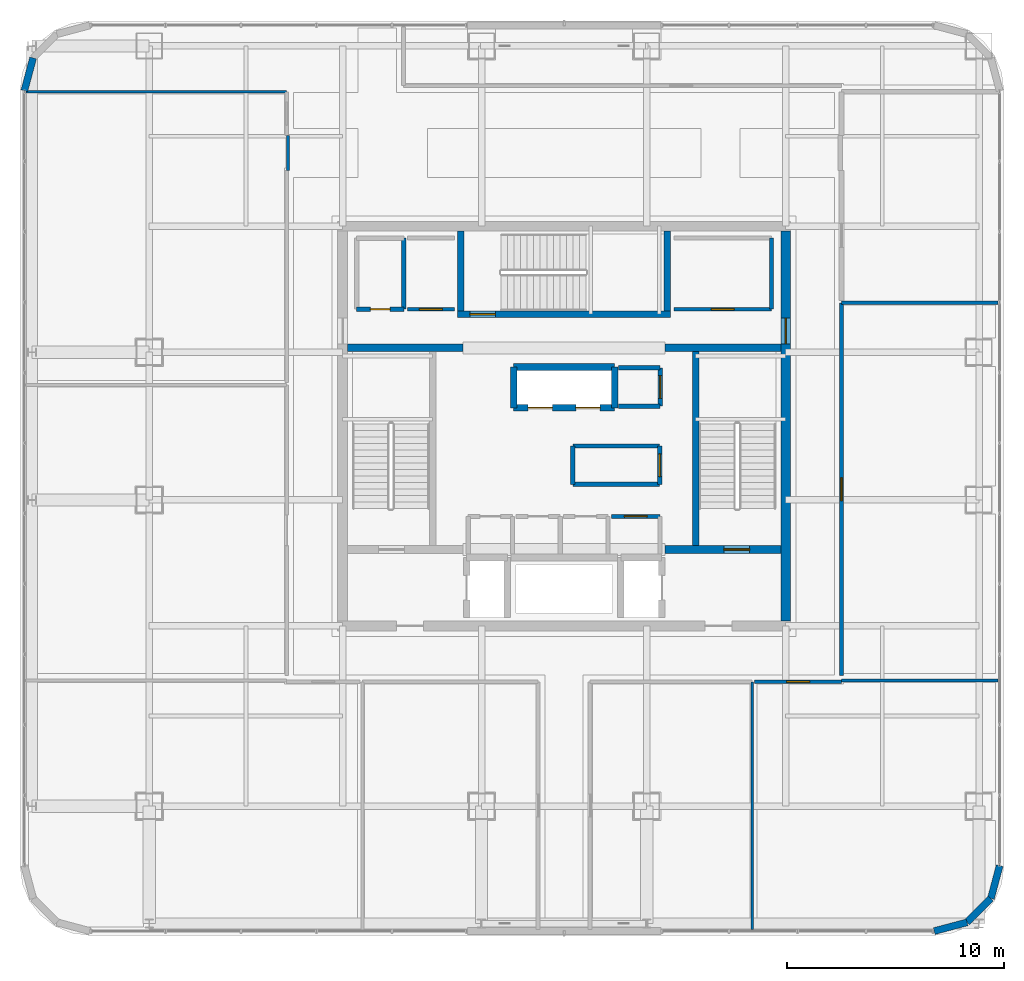
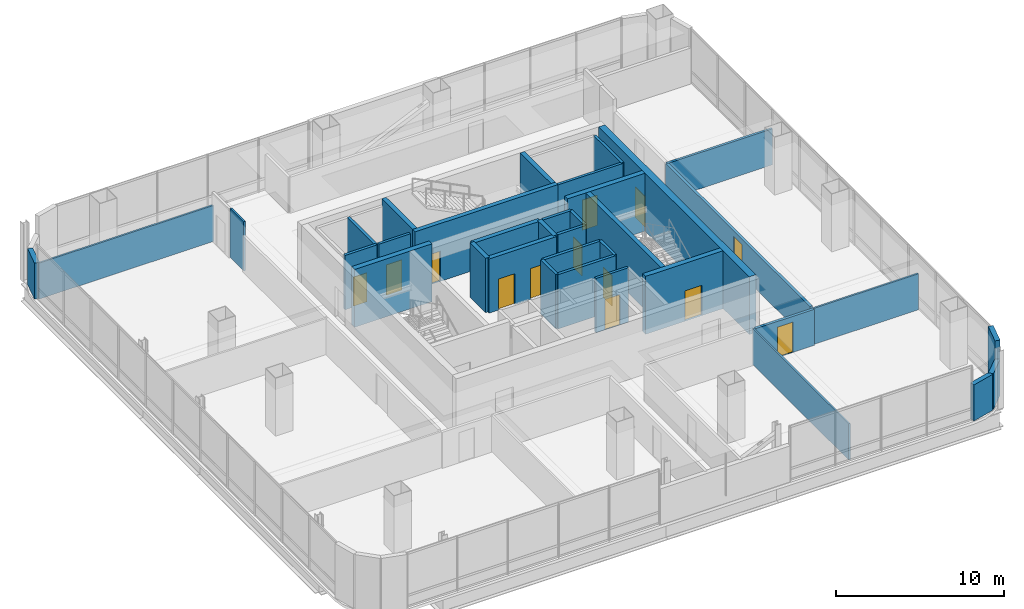
# One storey, part 36 of 46: 36 walls, 13 doors, 13 openings.
"""IFC4 building model written with IfcOpenShell, lengths in metres."""

from ifc_helpers import new_model, si_unit, direction, frame, frame_2d, origin, place, context, subcontext, project, spatial, rectangle, extrude, material, layer, layer_set, type_object, element, fill, save


model = new_model("IFC4")

# Units and contexts
model_context = context("Model", 3, precision=1e-05, world=origin(), true_north=direction((0.0, 1.0)))
body_context = subcontext(model_context, "Body", "Model", "MODEL_VIEW")
ifc_project = project(units=[si_unit("LENGTHUNIT", "METRE"), si_unit("AREAUNIT", "SQUARE_METRE"), si_unit("VOLUMEUNIT", "CUBIC_METRE"), si_unit("PLANEANGLEUNIT", "RADIAN"), si_unit("MASSUNIT", "GRAM", prefix="KILO")], contexts=[model_context])

# Site, building, storey
site_placement = place(None, origin())
site = spatial("IfcSite", under=ifc_project, at=site_placement, CompositionType="ELEMENT")
building_placement = place(site_placement, origin())
building = spatial("IfcBuilding", under=site, at=building_placement, Name="Punatoya Terracotta Tower", CompositionType="ELEMENT")
storey_placement = place(building_placement, frame((0.0, 0.0, 330.0)))
storey = spatial("IfcBuildingStorey", under=building, at=storey_placement, Name="L78", CompositionType="ELEMENT", Elevation=330.0)

# Wall, opening, door
ifc_material_1 = material(Name="Concrete C50/60", Category="concrete")
ifc_layer_1 = layer(ifc_material_1, 0.449951171875)
ifc_layer_set_1 = layer_set([ifc_layer_1], Name="Concrete C50/60")
wall_type_1 = type_object("IfcWallType", Name="WL-COR-450", PredefinedType="SHEAR", material=ifc_layer_set_1)
wall_1_placement = place(storey_placement, frame((10.199951171875, 8.97509765625, 0.0), z_axis=(0.0, 0.0, 1.0), x_axis=(0.0, -1.0, 0.0)))
wall_1 = element("IfcWall", 1, at=wall_1_placement, inside=storey, type_object=wall_type_1, Name="L78 Core Shear Wall E", PredefinedType="SHEAR", context=body_context, shape_type="SweptSolid", body=[
    extrude(rectangle(XDim=17.9501953125, YDim=0.449951171875, at=frame_2d((8.97509765625, 0.0))), origin(), (0.0, 0.0, 1.0), 4.199951171875),
])
opening_1_placement = place(wall_1_placement, frame((4.0048828125, 0.0, 0.0)))
opening_1 = element("IfcOpeningElement", 2, at=opening_1_placement, cuts=wall_1, Name="Opening SD-01", PredefinedType="OPENING", context=body_context, shape_type="SweptSolid", body=[
    extrude(rectangle(XDim=1.179931640625, YDim=2.199951171875, at=frame_2d((0.58984375, 1.10009765625))), frame((0.0, 0.23486328125, 0.0), z_axis=(0.0, -1.0, 0.0), x_axis=(1.0, 0.0, 0.0)), (0.0, 0.0, 1.0), 0.469970703125),
])
ifc_material_2 = material(Name="Galvanised Steel Pressurized Stair Fire Door", Category="steel")
door_type_1 = type_object("IfcDoorType", Name="DR-STR-1180", OperationType="NOTDEFINED", PredefinedType="DOOR", material=ifc_material_2)
door_1_placement = place(opening_1_placement, origin())
door_1 = element("IfcDoor", 3, at=door_1_placement, inside=storey, type_object=door_type_1, Name="L78 Central Lift Lobby East Fire Door", OperationType="SINGLE_SWING_RIGHT", OverallHeight=2.199951171875, OverallWidth=1.179931640625, PredefinedType="DOOR", context=body_context, shape_type="SweptSolid", body=[
    extrude(rectangle(XDim=1.179931640625, YDim=2.199951171875, at=frame_2d((0.58984375, 1.10009765625))), frame((0.0, 0.02490234375, 0.0), z_axis=(0.0, -1.0, 0.0), x_axis=(1.0, 0.0, 0.0)), (0.0, 0.0, 1.0), 0.050048828125),
])
fill(opening_1, door_1)

ifc_material_3 = material(Name="Gypsum Fireboard + Steel Stud", Category="steel")
ifc_layer_2 = layer(ifc_material_3, 0.179931640625)
ifc_layer_set_2 = layer_set([ifc_layer_2], Name="Gypsum Fireboard + Steel Stud")
wall_type_2 = type_object("IfcWallType", Name="WL-CORR-180", PredefinedType="PARTITIONING", material=ifc_layer_set_2)
wall_2_placement = place(storey_placement, frame((4.419921875, -4.159912109375, 0.0), z_axis=(0.0, 0.0, 1.0), x_axis=(-1.0, 0.0, 0.0)))
wall_2 = element("IfcWall", 4, at=wall_2_placement, inside=storey, type_object=wall_type_2, Name="L78 Core Reprographics Studio Partition 09", PredefinedType="PARTITIONING", context=body_context, shape_type="SweptSolid", body=[
    extrude(rectangle(XDim=2.239990234375, YDim=0.179931640625, at=frame_2d((1.1201171875, 0.0))), origin(), (0.0, 0.0, 1.0), 3.93994140625),
])
opening_2_placement = place(wall_2_placement, frame((0.594970703125, 0.0, 0.0)))
opening_2 = element("IfcOpeningElement", 5, at=opening_2_placement, cuts=wall_2, Name="Opening OD-01", PredefinedType="OPENING", context=body_context, shape_type="SweptSolid", body=[
    extrude(rectangle(XDim=1.050048828125, YDim=2.199951171875, at=frame_2d((0.52490234375, 1.10009765625))), frame((0.0, 0.099853515625, 0.0), z_axis=(0.0, -1.0, 0.0), x_axis=(1.0, 0.0, 0.0)), (0.0, 0.0, 1.0), 0.199951171875),
])
ifc_material_4 = material(Name="Bengal Teak Solid-Core Leaf")
door_type_2 = type_object("IfcDoorType", Name="DR-OFF-1050", OperationType="NOTDEFINED", PredefinedType="DOOR", material=ifc_material_4)
door_2_placement = place(opening_2_placement, origin())
door_2 = element("IfcDoor", 6, at=door_2_placement, inside=storey, type_object=door_type_2, Name="L78 Reprographics Studio Door", OperationType="SINGLE_SWING_LEFT", OverallHeight=2.199951171875, OverallWidth=1.050048828125, PredefinedType="DOOR", context=body_context, shape_type="SweptSolid", body=[
    extrude(rectangle(XDim=1.050048828125, YDim=2.199951171875, at=frame_2d((0.52490234375, 1.10009765625))), frame((0.0, 0.02490234375, 0.0), z_axis=(0.0, -1.0, 0.0), x_axis=(1.0, 0.0, 0.0)), (0.0, 0.0, 1.0), 0.050048828125),
])
fill(opening_2, door_2)

wall_3_placement = place(storey_placement, frame((-7.219970703125, 5.3798828125, 0.0), z_axis=(0.0, 0.0, 1.0), x_axis=(1.0, 0.0, 0.0)))
wall_3 = element("IfcWall", 7, at=wall_3_placement, inside=storey, type_object=wall_type_2, Name="L78 West Core Print Room Partition 22", PredefinedType="PARTITIONING", context=body_context, shape_type="SweptSolid", body=[
    extrude(rectangle(XDim=2.169921875, YDim=0.179931640625, at=frame_2d((1.0849609375, 0.0))), origin(), (0.0, 0.0, 1.0), 3.93994140625),
])
opening_3_placement = place(wall_3_placement, frame((0.56005859375, 0.0, 0.0)))
opening_3 = element("IfcOpeningElement", 8, at=opening_3_placement, cuts=wall_3, Name="Opening OD-01", PredefinedType="OPENING", context=body_context, shape_type="SweptSolid", body=[
    extrude(rectangle(XDim=1.050048828125, YDim=2.199951171875, at=frame_2d((0.52490234375, 1.10009765625))), frame((0.0, 0.099853515625, 0.0), z_axis=(0.0, -1.0, 0.0), x_axis=(1.0, 0.0, 0.0)), (0.0, 0.0, 1.0), 0.199951171875),
])
door_3_placement = place(opening_3_placement, origin())
door_3 = element("IfcDoor", 9, at=door_3_placement, inside=storey, type_object=door_type_2, Name="L78 West Print Room Door", OperationType="SINGLE_SWING_LEFT", OverallHeight=2.199951171875, OverallWidth=1.050048828125, PredefinedType="DOOR", context=body_context, shape_type="SweptSolid", body=[
    extrude(rectangle(XDim=1.050048828125, YDim=2.199951171875, at=frame_2d((0.52490234375, 1.10009765625))), frame((0.0, 0.02490234375, 0.0), z_axis=(0.0, -1.0, 0.0), x_axis=(1.0, 0.0, 0.0)), (0.0, 0.0, 1.0), 0.050048828125),
])
fill(opening_3, door_3)

# Wall
wall_4_placement = place(storey_placement, frame((9.550048828125, 5.3798828125, 0.0), z_axis=(0.0, 0.0, 1.0), x_axis=(0.0, 1.0, 0.0)))
element("IfcWall", 10, at=wall_4_placement, inside=storey, type_object=wall_type_2, Name="L78 East Core Wellness Room Partition 23", PredefinedType="PARTITIONING", context=body_context, shape_type="SweptSolid", body=[
    extrude(rectangle(XDim=3.27001953125, YDim=0.179931640625, at=frame_2d((1.635009765625, 0.0))), origin(), (0.0, 0.0, 1.0), 3.93994140625),
])

# Wall, opening, door
wall_5_placement = place(storey_placement, frame((5.050048828125, 5.3798828125, 0.0), z_axis=(0.0, 0.0, 1.0), x_axis=(1.0, 0.0, 0.0)))
wall_5 = element("IfcWall", 11, at=wall_5_placement, inside=storey, type_object=wall_type_2, Name="L78 East Core Wellness Room Partition 25", PredefinedType="PARTITIONING", context=body_context, shape_type="SweptSolid", body=[
    extrude(rectangle(XDim=4.5, YDim=0.179931640625, at=frame_2d((2.25, 0.0))), origin(), (0.0, 0.0, 1.0), 3.93994140625),
])
opening_4_placement = place(wall_5_placement, frame((1.72509765625, 0.0, 0.0)))
opening_4 = element("IfcOpeningElement", 12, at=opening_4_placement, cuts=wall_5, Name="Opening OD-01", PredefinedType="OPENING", context=body_context, shape_type="SweptSolid", body=[
    extrude(rectangle(XDim=1.050048828125, YDim=2.199951171875, at=frame_2d((0.52490234375, 1.10009765625))), frame((0.0, 0.099853515625, 0.0), z_axis=(0.0, -1.0, 0.0), x_axis=(1.0, 0.0, 0.0)), (0.0, 0.0, 1.0), 0.199951171875),
])
door_4_placement = place(opening_4_placement, origin())
door_4 = element("IfcDoor", 13, at=door_4_placement, inside=storey, type_object=door_type_2, Name="L78 East Wellness Room Door", OperationType="SINGLE_SWING_RIGHT", OverallHeight=2.199951171875, OverallWidth=1.050048828125, PredefinedType="DOOR", context=body_context, shape_type="SweptSolid", body=[
    extrude(rectangle(XDim=1.050048828125, YDim=2.199951171875, at=frame_2d((0.52490234375, 1.10009765625))), frame((0.0, 0.02490234375, 0.0), z_axis=(0.0, -1.0, 0.0), x_axis=(1.0, 0.0, 0.0)), (0.0, 0.0, 1.0), 0.050048828125),
])
fill(opening_4, door_4)

wall_6_placement = place(storey_placement, frame((8.77197265625, -11.77001953125, 0.0), z_axis=(0.0, 0.0, 1.0), x_axis=(1.0, 0.0, 0.0)))
wall_6 = element("IfcWall", 14, at=wall_6_placement, inside=storey, type_object=wall_type_2, Name="L78 Open-Plan Environmental Research Laboratory Partition 34", PredefinedType="PARTITIONING", context=body_context, shape_type="SweptSolid", body=[
    extrude(rectangle(XDim=3.998046875, YDim=0.179931640625, at=frame_2d((1.9990234375, 0.0))), origin(), (0.0, 0.0, 1.0), 2.614013671875),
])
opening_5_placement = place(wall_6_placement, frame((1.47412109375, 0.0, 0.0)))
opening_5 = element("IfcOpeningElement", 15, at=opening_5_placement, cuts=wall_6, Name="Opening OD-01", PredefinedType="OPENING", context=body_context, shape_type="SweptSolid", body=[
    extrude(rectangle(XDim=1.050048828125, YDim=2.199951171875, at=frame_2d((0.52490234375, 1.10009765625))), frame((0.0, 0.099853515625, 0.0), z_axis=(0.0, -1.0, 0.0), x_axis=(1.0, 0.0, 0.0)), (0.0, 0.0, 1.0), 0.199951171875),
])
door_5_placement = place(opening_5_placement, origin())
door_5 = element("IfcDoor", 16, at=door_5_placement, inside=storey, type_object=door_type_2, Name="L78 Open-Plan Environmental Research Laboratory Door", OperationType="SINGLE_SWING_RIGHT", OverallHeight=2.199951171875, OverallWidth=1.050048828125, PredefinedType="DOOR", context=body_context, shape_type="SweptSolid", body=[
    extrude(rectangle(XDim=1.050048828125, YDim=2.199951171875, at=frame_2d((0.52490234375, 1.10009765625))), frame((0.0, 0.02490234375, 0.0), z_axis=(0.0, -1.0, 0.0), x_axis=(1.0, 0.0, 0.0)), (0.0, 0.0, 1.0), 0.050048828125),
])
fill(opening_5, door_5)

wall_7_placement = place(storey_placement, frame((12.77001953125, -11.489990234375, 0.0), z_axis=(0.0, 0.0, 1.0), x_axis=(0.0, 1.0, 0.0)))
wall_7 = element("IfcWall", 17, at=wall_7_placement, inside=storey, type_object=wall_type_2, Name="L78 Open-Plan Laboratory Staff Pantry Partition 38", PredefinedType="PARTITIONING", context=body_context, shape_type="SweptSolid", body=[
    extrude(rectangle(XDim=17.159912109375, YDim=0.179931640625, at=frame_2d((8.580078125, 0.0))), origin(), (0.0, 0.0, 1.0), 2.614013671875),
])
opening_6_placement = place(wall_7_placement, frame((8.054931640625, 0.0, 0.0)))
opening_6 = element("IfcOpeningElement", 18, at=opening_6_placement, cuts=wall_7, Name="Opening OD-01", PredefinedType="OPENING", context=body_context, shape_type="SweptSolid", body=[
    extrude(rectangle(XDim=1.050048828125, YDim=2.199951171875, at=frame_2d((0.52490234375, 1.10009765625))), frame((0.0, 0.099853515625, 0.0), z_axis=(0.0, -1.0, 0.0), x_axis=(1.0, 0.0, 0.0)), (0.0, 0.0, 1.0), 0.199951171875),
])
door_6_placement = place(opening_6_placement, origin())
door_6 = element("IfcDoor", 19, at=door_6_placement, inside=storey, type_object=door_type_2, Name="L78 Open-Plan Laboratory Staff Pantry Door", OperationType="SINGLE_SWING_RIGHT", OverallHeight=2.199951171875, OverallWidth=1.050048828125, PredefinedType="DOOR", context=body_context, shape_type="SweptSolid", body=[
    extrude(rectangle(XDim=1.050048828125, YDim=2.199951171875, at=frame_2d((0.52490234375, 1.10009765625))), frame((0.0, 0.02490234375, 0.0), z_axis=(0.0, -1.0, 0.0), x_axis=(1.0, 0.0, 0.0)), (0.0, 0.0, 1.0), 0.050048828125),
])
fill(opening_6, door_6)

# Walls
ifc_material_5 = material(Name="Precast concrete C40/50", Category="concrete")
ifc_layer_3 = layer(ifc_material_5, 0.320068359375)
ifc_layer_set_3 = layer_set([ifc_layer_3], Name="Precast concrete C40/50")
wall_type_3 = type_object("IfcWallType", Name="WL-EXT-320", PredefinedType="SOLIDWALL", material=ifc_layer_set_3)
wall_8_placement = place(storey_placement, frame((17.036865234375, -23.25, 0.0), z_axis=(0.0, 0.0, 1.0), x_axis=(0.966224582397, 0.257701486942, 0.0)))
element("IfcWall", 20, at=wall_8_placement, inside=storey, type_object=wall_type_3, Name="L78 Rounded Terracotta Corner Pier 02", PredefinedType="SOLIDWALL", context=body_context, shape_type="SweptSolid", body=[
    extrude(rectangle(XDim=1.565185546875, YDim=0.320068359375, at=frame_2d((0.78271484375, 0.0))), origin(), (0.0, 0.0, 1.0), 2.614013671875),
])
wall_9_placement = place(storey_placement, frame((18.549072265625, -22.8466796875, 0.0), z_axis=(0.0, 0.0, 1.0), x_axis=(0.707028130747, 0.707185422879, 0.0)))
element("IfcWall", 21, at=wall_9_placement, inside=storey, type_object=wall_type_3, Name="L78 Rounded Terracotta Corner Pier 03", PredefinedType="SOLIDWALL", context=body_context, shape_type="SweptSolid", body=[
    extrude(rectangle(XDim=1.55224609375, YDim=0.320068359375, at=frame_2d((0.776123046875, 0.0))), origin(), (0.0, 0.0, 1.0), 2.614013671875),
])
wall_10_placement = place(storey_placement, frame((19.646484375, -21.7490234375, 0.0), z_axis=(0.0, 0.0, 1.0), x_axis=(0.257847112249, 0.966185730957, 0.0)))
element("IfcWall", 22, at=wall_10_placement, inside=storey, type_object=wall_type_3, Name="L78 Rounded Terracotta Corner Pier 04", PredefinedType="SOLIDWALL", context=body_context, shape_type="SweptSolid", body=[
    extrude(rectangle(XDim=1.565185546875, YDim=0.320068359375, at=frame_2d((0.78271484375, 0.0))), origin(), (0.0, 0.0, 1.0), 3.93994140625),
])
wall_11_placement = place(storey_placement, frame((-24.446533203125, 16.94921875, 0.0), z_axis=(0.0, 0.0, 1.0), x_axis=(-0.257847112249, -0.966185730957, 0.0)))
element("IfcWall", 23, at=wall_11_placement, inside=storey, type_object=wall_type_3, Name="L78 Rounded Terracotta Corner Pier 12", PredefinedType="SOLIDWALL", context=body_context, shape_type="SweptSolid", body=[
    extrude(rectangle(XDim=1.565185546875, YDim=0.320068359375, at=frame_2d((0.78271484375, 0.0))), origin(), (0.0, 0.0, 1.0), 2.614013671875),
])

# Wall, opening, door
ifc_material_6 = material(Name="Concrete C40/50", Category="concrete")
ifc_layer_4 = layer(ifc_material_6, 0.199951171875)
ifc_layer_set_4 = layer_set([ifc_layer_4], Name="Concrete C40/50")
wall_type_4 = type_object("IfcWallType", Name="WL-INT-200", PredefinedType="SOLIDWALL", material=ifc_layer_set_4)
wall_12_placement = place(storey_placement, frame((4.39990234375, -2.679931640625, 0.0), z_axis=(0.0, 0.0, 1.0), x_axis=(0.0, 1.0, 0.0)))
wall_12 = element("IfcWall", 24, at=wall_12_placement, inside=storey, type_object=wall_type_4, Name="L78 East Core Tea Pantry Partition 10", PredefinedType="SOLIDWALL", context=body_context, shape_type="SweptSolid", body=[
    extrude(rectangle(XDim=1.760009765625, YDim=0.199951171875, at=frame_2d((0.8798828125, 0.0))), origin(), (0.0, 0.0, 1.0), 3.93994140625),
])
opening_7_placement = place(wall_12_placement, frame((0.35498046875, 0.0, 0.0)))
opening_7 = element("IfcOpeningElement", 25, at=opening_7_placement, cuts=wall_12, Name="Opening OD-01", PredefinedType="OPENING", context=body_context, shape_type="SweptSolid", body=[
    extrude(rectangle(XDim=1.050048828125, YDim=2.199951171875, at=frame_2d((0.52490234375, 1.10009765625))), frame((0.0, 0.10986328125, 0.0), z_axis=(0.0, -1.0, 0.0), x_axis=(1.0, 0.0, 0.0)), (0.0, 0.0, 1.0), 0.219970703125),
])
door_7_placement = place(opening_7_placement, origin())
door_7 = element("IfcDoor", 26, at=door_7_placement, inside=storey, type_object=door_type_2, Name="L78 East Tea Pantry Door", OperationType="SINGLE_SWING_RIGHT", OverallHeight=2.199951171875, OverallWidth=1.050048828125, PredefinedType="DOOR", context=body_context, shape_type="SweptSolid", body=[
    extrude(rectangle(XDim=1.050048828125, YDim=2.199951171875, at=frame_2d((0.52490234375, 1.10009765625))), frame((0.0, 0.02490234375, 0.0), z_axis=(0.0, -1.0, 0.0), x_axis=(1.0, 0.0, 0.0)), (0.0, 0.0, 1.0), 0.050048828125),
])
fill(opening_7, door_7)

# Walls
wall_13_placement = place(storey_placement, frame((4.39990234375, -0.919921875, 0.0), z_axis=(0.0, 0.0, 1.0), x_axis=(-1.0, 0.0, 0.0)))
element("IfcWall", 27, at=wall_13_placement, inside=storey, type_object=wall_type_4, Name="L78 East Core Tea Pantry Partition 11", PredefinedType="SOLIDWALL", context=body_context, shape_type="SweptSolid", body=[
    extrude(rectangle(XDim=4.0, YDim=0.199951171875, at=frame_2d((2.0, 0.0))), origin(), (0.0, 0.0, 1.0), 3.93994140625),
])
wall_14_placement = place(storey_placement, frame((0.39990234375, -0.919921875, 0.0), z_axis=(0.0, 0.0, 1.0), x_axis=(0.0, -1.0, 0.0)))
element("IfcWall", 28, at=wall_14_placement, inside=storey, type_object=wall_type_4, Name="L78 East Core Tea Pantry Partition 12", PredefinedType="SOLIDWALL", context=body_context, shape_type="SweptSolid", body=[
    extrude(rectangle(XDim=1.760009765625, YDim=0.199951171875, at=frame_2d((0.8798828125, 0.0))), origin(), (0.0, 0.0, 1.0), 3.93994140625),
])
wall_15_placement = place(storey_placement, frame((0.39990234375, -2.679931640625, 0.0), z_axis=(0.0, 0.0, 1.0), x_axis=(1.0, 0.0, 0.0)))
element("IfcWall", 29, at=wall_15_placement, inside=storey, type_object=wall_type_4, Name="L78 East Core Tea Pantry Partition 13", PredefinedType="SOLIDWALL", context=body_context, shape_type="SweptSolid", body=[
    extrude(rectangle(XDim=4.0, YDim=0.199951171875, at=frame_2d((2.0, 0.0))), origin(), (0.0, 0.0, 1.0), 3.93994140625),
])

# Wall, opening, door
wall_16_placement = place(storey_placement, frame((4.419921875, 0.919921875, 0.0), z_axis=(0.0, 0.0, 1.0), x_axis=(0.0, 1.0, 0.0)))
wall_16 = element("IfcWall", 30, at=wall_16_placement, inside=storey, type_object=wall_type_4, Name="L78 Executive Steward Pantry Partition 14", PredefinedType="SOLIDWALL", context=body_context, shape_type="SweptSolid", body=[
    extrude(rectangle(XDim=1.760009765625, YDim=0.199951171875, at=frame_2d((0.8798828125, 0.0))), origin(), (0.0, 0.0, 1.0), 3.93994140625),
])
opening_8_placement = place(wall_16_placement, frame((0.35498046875, 0.0, 0.0)))
opening_8 = element("IfcOpeningElement", 31, at=opening_8_placement, cuts=wall_16, Name="Opening OD-01", PredefinedType="OPENING", context=body_context, shape_type="SweptSolid", body=[
    extrude(rectangle(XDim=1.050048828125, YDim=2.199951171875, at=frame_2d((0.52490234375, 1.10009765625))), frame((0.0, 0.10986328125, 0.0), z_axis=(0.0, -1.0, 0.0), x_axis=(1.0, 0.0, 0.0)), (0.0, 0.0, 1.0), 0.219970703125),
])
door_8_placement = place(opening_8_placement, origin())
door_8 = element("IfcDoor", 32, at=door_8_placement, inside=storey, type_object=door_type_2, Name="L78 Executive Steward Pantry Door", OperationType="SINGLE_SWING_LEFT", OverallHeight=2.199951171875, OverallWidth=1.050048828125, PredefinedType="DOOR", context=body_context, shape_type="SweptSolid", body=[
    extrude(rectangle(XDim=1.050048828125, YDim=2.199951171875, at=frame_2d((0.52490234375, 1.10009765625))), frame((0.0, 0.02490234375, 0.0), z_axis=(0.0, -1.0, 0.0), x_axis=(1.0, 0.0, 0.0)), (0.0, 0.0, 1.0), 0.050048828125),
])
fill(opening_8, door_8)

# Walls
for number, where, z_axis, x_axis, name in (
    (33, (4.419921875, 2.679931640625, 0.0), (0.0, 0.0, 1.0), (-1.0, 0.0, 0.0), "L78 Executive Steward Pantry Partition 15"),
    (34, (2.5, 0.919921875, 0.0), (0.0, 0.0, 1.0), (1.0, 0.0, 0.0), "L78 Executive Steward Pantry Partition 16"),
):
    element("IfcWall", number, at=place(storey_placement, frame(where, z_axis=z_axis, x_axis=x_axis)), inside=storey, type_object=wall_type_4, Name=name, PredefinedType="SOLIDWALL", context=body_context, shape_type="SweptSolid", body=[
        extrude(rectangle(XDim=1.919921875, YDim=0.199951171875, at=frame_2d((0.9599609375, 0.0))), origin(), (0.0, 0.0, 1.0), 3.93994140625),
    ])
wall_17_placement = place(storey_placement, frame((-7.3798828125, 5.3798828125, 0.0), z_axis=(0.0, 0.0, 1.0), x_axis=(0.0, 1.0, 0.0)))
element("IfcWall", 35, at=wall_17_placement, inside=storey, type_object=wall_type_4, Name="L78 West Core Archive Vault Partition 17", PredefinedType="SOLIDWALL", context=body_context, shape_type="SweptSolid", body=[
    extrude(rectangle(XDim=3.27001953125, YDim=0.199951171875, at=frame_2d((1.635009765625, 0.0))), origin(), (0.0, 0.0, 1.0), 3.93994140625),
])

# Wall, opening, door
wall_18_placement = place(storey_placement, frame((-9.550048828125, 5.3798828125, 0.0), z_axis=(0.0, 0.0, 1.0), x_axis=(1.0, 0.0, 0.0)))
wall_18 = element("IfcWall", 36, at=wall_18_placement, inside=storey, type_object=wall_type_4, Name="L78 West Core Archive Vault Partition 20", PredefinedType="SOLIDWALL", context=body_context, shape_type="SweptSolid", body=[
    extrude(rectangle(XDim=2.170166015625, YDim=0.199951171875, at=frame_2d((1.0849609375, 0.0))), origin(), (0.0, 0.0, 1.0), 3.93994140625),
])
opening_9_placement = place(wall_18_placement, frame((0.625, 0.0, 0.0)))
opening_9 = element("IfcOpeningElement", 37, at=opening_9_placement, cuts=wall_18, Name="Opening FD-R1", PredefinedType="OPENING", context=body_context, shape_type="SweptSolid", body=[
    extrude(rectangle(XDim=0.919921875, YDim=2.10009765625, at=frame_2d((0.4599609375, 1.050048828125))), frame((0.0, 0.10986328125, 0.0), z_axis=(0.0, -1.0, 0.0), x_axis=(1.0, 0.0, 0.0)), (0.0, 0.0, 1.0), 0.219970703125),
])
ifc_material_7 = material(Name="Galvanised Steel Riser Fire Access Door", Category="steel")
door_type_3 = type_object("IfcDoorType", Name="DR-RSR-920", OperationType="NOTDEFINED", PredefinedType="DOOR", material=ifc_material_7)
door_9_placement = place(opening_9_placement, origin())
door_9 = element("IfcDoor", 38, at=door_9_placement, inside=storey, type_object=door_type_3, Name="L78 West Core Archive Vault Fire Door", OperationType="SINGLE_SWING_RIGHT", OverallHeight=2.10009765625, OverallWidth=0.919921875, PredefinedType="DOOR", context=body_context, shape_type="SweptSolid", body=[
    extrude(rectangle(XDim=0.919921875, YDim=2.10009765625, at=frame_2d((0.4599609375, 1.050048828125))), frame((0.0, 0.02490234375, 0.0), z_axis=(0.0, -1.0, 0.0), x_axis=(1.0, 0.0, 0.0)), (0.0, 0.0, 1.0), 0.050048828125),
])
fill(opening_9, door_9)

# Walls
ifc_material_8 = material(Name="Gypsum Partition + Steel Stud", Category="steel")
ifc_layer_5 = layer(ifc_material_8, 0.1201171875)
ifc_layer_set_5 = layer_set([ifc_layer_5], Name="Gypsum Partition + Steel Stud")
wall_type_5 = type_object("IfcWallType", Name="WL-OFF-120", PredefinedType="PARTITIONING", material=ifc_layer_set_5)
wall_19_placement = place(storey_placement, frame((8.652099609375, -11.77001953125, 0.0), z_axis=(0.0, 0.0, 1.0), x_axis=(0.0, -1.0, 0.0)))
element("IfcWall", 39, at=wall_19_placement, inside=storey, type_object=wall_type_5, Name="L78 Open-Plan Cartography Reference Library Partition 31", PredefinedType="PARTITIONING", context=body_context, shape_type="SweptSolid", body=[
    extrude(rectangle(XDim=11.39990234375, YDim=0.1201171875, at=frame_2d((5.699951171875, 0.0))), origin(), (0.0, 0.0, 1.0), 2.614013671875),
])
wall_20_placement = place(storey_placement, frame((12.77001953125, -11.7099609375, 0.0), z_axis=(0.0, 0.0, 1.0), x_axis=(1.0, 0.0, 0.0)))
element("IfcWall", 40, at=wall_20_placement, inside=storey, type_object=wall_type_5, Name="L78 Open-Plan Environmental Research Laboratory Partition 35", PredefinedType="PARTITIONING", context=body_context, shape_type="SweptSolid", body=[
    extrude(rectangle(XDim=7.199951171875, YDim=0.1201171875, at=frame_2d((3.60009765625, 0.0))), origin(), (0.0, 0.0, 1.0), 2.614013671875),
])
wall_21_placement = place(storey_placement, frame((-24.77001953125, 15.389892578125, 0.0), z_axis=(0.0, 0.0, 1.0), x_axis=(1.0, 0.0, 0.0)))
element("IfcWall", 41, at=wall_21_placement, inside=storey, type_object=wall_type_5, Name="L78 Wellness Rest Room Partition 40", PredefinedType="PARTITIONING", context=body_context, shape_type="SweptSolid", body=[
    extrude(rectangle(XDim=12.0, YDim=0.1201171875, at=frame_2d((6.0, 0.0))), origin(), (0.0, 0.0, 1.0), 2.614013671875),
])
wall_22_placement = place(storey_placement, frame((-12.7099609375, 13.3798828125, 0.0), z_axis=(0.0, 0.0, 1.0), x_axis=(0.0, -1.0, 0.0)))
element("IfcWall", 42, at=wall_22_placement, inside=storey, type_object=wall_type_5, Name="L78 Wellness Rest Room Partition 42", PredefinedType="PARTITIONING", context=body_context, shape_type="SweptSolid", body=[
    extrude(rectangle(XDim=1.60986328125, YDim=0.1201171875, at=frame_2d((0.804931640625, 0.0))), origin(), (0.0, 0.0, 1.0), 3.573974609375),
])
ifc_layer_6 = layer(ifc_material_6, 0.300048828125)
ifc_layer_set_6 = layer_set([ifc_layer_6], Name="Concrete C40/50")
wall_type_6 = type_object("IfcWallType", Name="WL-SHF-300", PredefinedType="SOLIDWALL", material=ifc_layer_set_6)
wall_23_placement = place(storey_placement, frame((6.050048828125, 3.449951171875, 0.0), z_axis=(0.0, 0.0, 1.0), x_axis=(0.0, -1.0, 0.0)))
element("IfcWall", 43, at=wall_23_placement, inside=storey, type_object=wall_type_6, Name="L78 Structural Stair Shaft Wall SW-ST2-W", PredefinedType="SOLIDWALL", context=body_context, shape_type="SweptSolid", body=[
    extrude(rectangle(XDim=8.949951171875, YDim=0.300048828125, at=frame_2d((4.47509765625, 0.0))), origin(), (0.0, 0.0, 1.0), 4.199951171875),
])
for number, where, z_axis, x_axis, name in (
    (44, (-4.75, 5.300048828125, 0.0), (0.0, 0.0, 1.0), (0.0, 1.0, 0.0), "L78 Structural Stair Shaft Wall SW-ST3-W"),
    (45, (4.75, 8.97509765625, 0.0), (0.0, 0.0, 1.0), (0.0, -1.0, 0.0), "L78 Structural Stair Shaft Wall SW-ST3-E"),
):
    element("IfcWall", number, at=place(storey_placement, frame(where, z_axis=z_axis, x_axis=x_axis)), inside=storey, type_object=wall_type_6, Name=name, PredefinedType="SOLIDWALL", context=body_context, shape_type="SweptSolid", body=[
        extrude(rectangle(XDim=3.675048828125, YDim=0.300048828125, at=frame_2d((1.83740234375, 0.0))), origin(), (0.0, 0.0, 1.0), 4.199951171875),
    ])

# Wall, opening, door
wall_24_placement = place(storey_placement, frame((-4.89990234375, 5.14990234375, 0.0), z_axis=(0.0, 0.0, 1.0), x_axis=(1.0, 0.0, 0.0)))
wall_24 = element("IfcWall", 46, at=wall_24_placement, inside=storey, type_object=wall_type_6, Name="L78 Structural Stair Shaft Wall SW-ST3-S", PredefinedType="SOLIDWALL", context=body_context, shape_type="SweptSolid", body=[
    extrude(rectangle(XDim=9.7998046875, YDim=0.300048828125, at=frame_2d((4.89990234375, 0.0))), origin(), (0.0, 0.0, 1.0), 4.199951171875),
])
opening_10_placement = place(wall_24_placement, frame((0.56005859375, 0.0, 0.0)))
opening_10 = element("IfcOpeningElement", 47, at=opening_10_placement, cuts=wall_24, Name="Opening SD-01", PredefinedType="OPENING", context=body_context, shape_type="SweptSolid", body=[
    extrude(rectangle(XDim=1.179931640625, YDim=2.199951171875, at=frame_2d((0.58984375, 1.10009765625))), frame((0.0, 0.159912109375, 0.0), z_axis=(0.0, -1.0, 0.0), x_axis=(1.0, 0.0, 0.0)), (0.0, 0.0, 1.0), 0.320068359375),
])
door_10_placement = place(opening_10_placement, origin())
door_10 = element("IfcDoor", 48, at=door_10_placement, inside=storey, type_object=door_type_1, Name="L78 Stair ST-3 Core Lobby Fire Door", OperationType="SINGLE_SWING_LEFT", OverallHeight=2.199951171875, OverallWidth=1.179931640625, PredefinedType="DOOR", context=body_context, shape_type="SweptSolid", body=[
    extrude(rectangle(XDim=1.179931640625, YDim=2.199951171875, at=frame_2d((0.58984375, 1.10009765625))), frame((0.0, 0.02490234375, 0.0), z_axis=(0.0, -1.0, 0.0), x_axis=(1.0, 0.0, 0.0)), (0.0, 0.0, 1.0), 0.050048828125),
])
fill(opening_10, door_10)

# Wall, openings, doors
wall_25_placement = place(storey_placement, frame((-2.320068359375, 0.840087890625, 0.0), z_axis=(0.0, 0.0, 1.0), x_axis=(1.0, 0.0, 0.0)))
wall_25 = element("IfcWall", 49, at=wall_25_placement, inside=storey, type_object=wall_type_6, Name="L78 North Lift Bank Front Shaft Wall", PredefinedType="SOLIDWALL", context=body_context, shape_type="SweptSolid", body=[
    extrude(rectangle(XDim=4.64013671875, YDim=0.300048828125, at=frame_2d((2.320068359375, 0.0))), origin(), (0.0, 0.0, 1.0), 3.93994140625),
])
opening_11_placement = place(wall_25_placement, frame((0.659912109375, 0.0, 0.0)))
opening_11 = element("IfcOpeningElement", 50, at=opening_11_placement, cuts=wall_25, Name="Opening LD-02", PredefinedType="OPENING", context=body_context, shape_type="SweptSolid", body=[
    extrude(rectangle(XDim=1.1201171875, YDim=2.25, at=frame_2d((0.56005859375, 1.125))), frame((0.0, 0.159912109375, 0.0), z_axis=(0.0, -1.0, 0.0), x_axis=(1.0, 0.0, 0.0)), (0.0, 0.0, 1.0), 0.320068359375),
])
opening_12_placement = place(wall_25_placement, frame((2.860107421875, 0.0, 0.0)))
opening_12 = element("IfcOpeningElement", 51, at=opening_12_placement, cuts=wall_25, Name="Opening LD-02", PredefinedType="OPENING", context=body_context, shape_type="SweptSolid", body=[
    extrude(rectangle(XDim=1.1201171875, YDim=2.25, at=frame_2d((0.56005859375, 1.125))), frame((0.0, 0.159912109375, 0.0), z_axis=(0.0, -1.0, 0.0), x_axis=(1.0, 0.0, 0.0)), (0.0, 0.0, 1.0), 0.320068359375),
])
ifc_material_9 = material(Name="Stainless Steel Lift Landing Door", Category="steel")
door_type_4 = type_object("IfcDoorType", Name="DR-LND-1120", OperationType="NOTDEFINED", PredefinedType="DOOR", material=ifc_material_9)
door_11_placement = place(opening_11_placement, origin())
door_11 = element("IfcDoor", 52, at=door_11_placement, inside=storey, type_object=door_type_4, Name="L78 Lift PL-E1 Sliding Landing Door", OperationType="DOUBLE_DOOR_SLIDING", OverallHeight=2.25, OverallWidth=1.1201171875, PredefinedType="DOOR", context=body_context, shape_type="SweptSolid", body=[
    extrude(rectangle(XDim=1.1201171875, YDim=2.25, at=frame_2d((0.56005859375, 1.125))), frame((0.0, 0.02490234375, 0.0), z_axis=(0.0, -1.0, 0.0), x_axis=(1.0, 0.0, 0.0)), (0.0, 0.0, 1.0), 0.050048828125),
])
fill(opening_11, door_11)
door_12_placement = place(opening_12_placement, origin())
door_12 = element("IfcDoor", 53, at=door_12_placement, inside=storey, type_object=door_type_4, Name="L78 Lift PL-E2 Sliding Landing Door", OperationType="DOUBLE_DOOR_SLIDING", OverallHeight=2.25, OverallWidth=1.1201171875, PredefinedType="DOOR", context=body_context, shape_type="SweptSolid", body=[
    extrude(rectangle(XDim=1.1201171875, YDim=2.25, at=frame_2d((0.56005859375, 1.125))), frame((0.0, 0.02490234375, 0.0), z_axis=(0.0, -1.0, 0.0), x_axis=(1.0, 0.0, 0.0)), (0.0, 0.0, 1.0), 0.050048828125),
])
fill(opening_12, door_12)

# Walls
wall_26_placement = place(storey_placement, frame((-2.320068359375, 2.719970703125, 0.0), z_axis=(0.0, 0.0, 1.0), x_axis=(1.0, 0.0, 0.0)))
element("IfcWall", 54, at=wall_26_placement, inside=storey, type_object=wall_type_6, Name="L78 North Lift Bank Rear Shaft Wall", PredefinedType="SOLIDWALL", context=body_context, shape_type="SweptSolid", body=[
    extrude(rectangle(XDim=4.64013671875, YDim=0.300048828125, at=frame_2d((2.320068359375, 0.0))), origin(), (0.0, 0.0, 1.0), 3.93994140625),
])
for number, where, z_axis, x_axis, name in (
    (55, (-2.320068359375, 0.840087890625, 0.0), (0.0, 0.0, 1.0), (0.0, 1.0, 0.0), "L78 North Lift Bank West End Wall"),
    (56, (2.320068359375, 0.840087890625, 0.0), (0.0, 0.0, 1.0), (0.0, 1.0, 0.0), "L78 North Lift Bank East End Wall"),
):
    element("IfcWall", number, at=place(storey_placement, frame(where, z_axis=z_axis, x_axis=x_axis)), inside=storey, type_object=wall_type_6, Name=name, PredefinedType="SOLIDWALL", context=body_context, shape_type="SweptSolid", body=[
        extrude(rectangle(XDim=1.8798828125, YDim=0.300048828125, at=frame_2d((0.93994140625, 0.0))), origin(), (0.0, 0.0, 1.0), 3.93994140625),
    ])

# Wall, opening, door
ifc_layer_7 = layer(ifc_material_1, 0.35009765625)
ifc_layer_set_7 = layer_set([ifc_layer_7], Name="Concrete C50/60")
wall_type_7 = type_object("IfcWallType", Name="WL-SHF-350", PredefinedType="SOLIDWALL", material=ifc_layer_set_7)
wall_27_placement = place(storey_placement, frame((4.64990234375, -5.679931640625, 0.0), z_axis=(0.0, 0.0, 1.0), x_axis=(1.0, 0.0, 0.0)))
wall_27 = element("IfcWall", 57, at=wall_27_placement, inside=storey, type_object=wall_type_7, Name="L78 Core Web Wall CSW-R", PredefinedType="SOLIDWALL", context=body_context, shape_type="SweptSolid", body=[
    extrude(rectangle(XDim=5.3251953125, YDim=0.35009765625, at=frame_2d((2.66259765625, 0.0))), origin(), (0.0, 0.0, 1.0), 4.199951171875),
])
opening_13_placement = place(wall_27_placement, frame((2.7099609375, 0.0, 0.0)))
opening_13 = element("IfcOpeningElement", 58, at=opening_13_placement, cuts=wall_27, Name="Opening SD-01", PredefinedType="OPENING", context=body_context, shape_type="SweptSolid", body=[
    extrude(rectangle(XDim=1.179931640625, YDim=2.199951171875, at=frame_2d((0.58984375, 1.10009765625))), frame((0.0, 0.18505859375, 0.0), z_axis=(0.0, -1.0, 0.0), x_axis=(1.0, 0.0, 0.0)), (0.0, 0.0, 1.0), 0.3701171875),
])
door_13_placement = place(opening_13_placement, origin())
door_13 = element("IfcDoor", 59, at=door_13_placement, inside=storey, type_object=door_type_1, Name="L78 Stair ST-2 Smokeproof Lobby Fire Door", OperationType="SINGLE_SWING_RIGHT", OverallHeight=2.199951171875, OverallWidth=1.179931640625, PredefinedType="DOOR", context=body_context, shape_type="SweptSolid", body=[
    extrude(rectangle(XDim=1.179931640625, YDim=2.199951171875, at=frame_2d((0.58984375, 1.10009765625))), frame((0.0, 0.02490234375, 0.0), z_axis=(0.0, -1.0, 0.0), x_axis=(1.0, 0.0, 0.0)), (0.0, 0.0, 1.0), 0.050048828125),
])
fill(opening_13, door_13)

# Walls
for number, where, z_axis, x_axis, name in (
    (60, (-9.97509765625, 3.60009765625, 0.0), (0.0, 0.0, 1.0), (1.0, 0.0, 0.0), "L78 Core Web Wall CNW-L"),
    (61, (4.64990234375, 3.60009765625, 0.0), (0.0, 0.0, 1.0), (1.0, 0.0, 0.0), "L78 Core Web Wall CNW-R"),
):
    element("IfcWall", number, at=place(storey_placement, frame(where, z_axis=z_axis, x_axis=x_axis)), inside=storey, type_object=wall_type_7, Name=name, PredefinedType="SOLIDWALL", context=body_context, shape_type="SweptSolid", body=[
        extrude(rectangle(XDim=5.3251953125, YDim=0.35009765625, at=frame_2d((2.66259765625, 0.0))), origin(), (0.0, 0.0, 1.0), 4.199951171875),
    ])
ifc_material_10 = material(Name="Masonry Blockwork + Ceramic Tile", Category="masonry")
ifc_layer_8 = layer(ifc_material_10, 0.159912109375)
ifc_layer_set_8 = layer_set([ifc_layer_8], Name="Masonry Blockwork + Ceramic Tile")
wall_type_8 = type_object("IfcWallType", Name="WL-WET-160", PredefinedType="PARTITIONING", material=ifc_layer_set_8)
wall_28_placement = place(storey_placement, frame((12.77001953125, 5.669921875, 0.0), z_axis=(0.0, 0.0, 1.0), x_axis=(1.0, 0.0, 0.0)))
element("IfcWall", 62, at=wall_28_placement, inside=storey, type_object=wall_type_8, Name="L78 Open-Plan Laboratory Staff Pantry Partition 39", PredefinedType="PARTITIONING", context=body_context, shape_type="SweptSolid", body=[
    extrude(rectangle(XDim=7.199951171875, YDim=0.159912109375, at=frame_2d((3.60009765625, 0.0))), origin(), (0.0, 0.0, 1.0), 2.614013671875),
])

save(model, "model.ifc")
